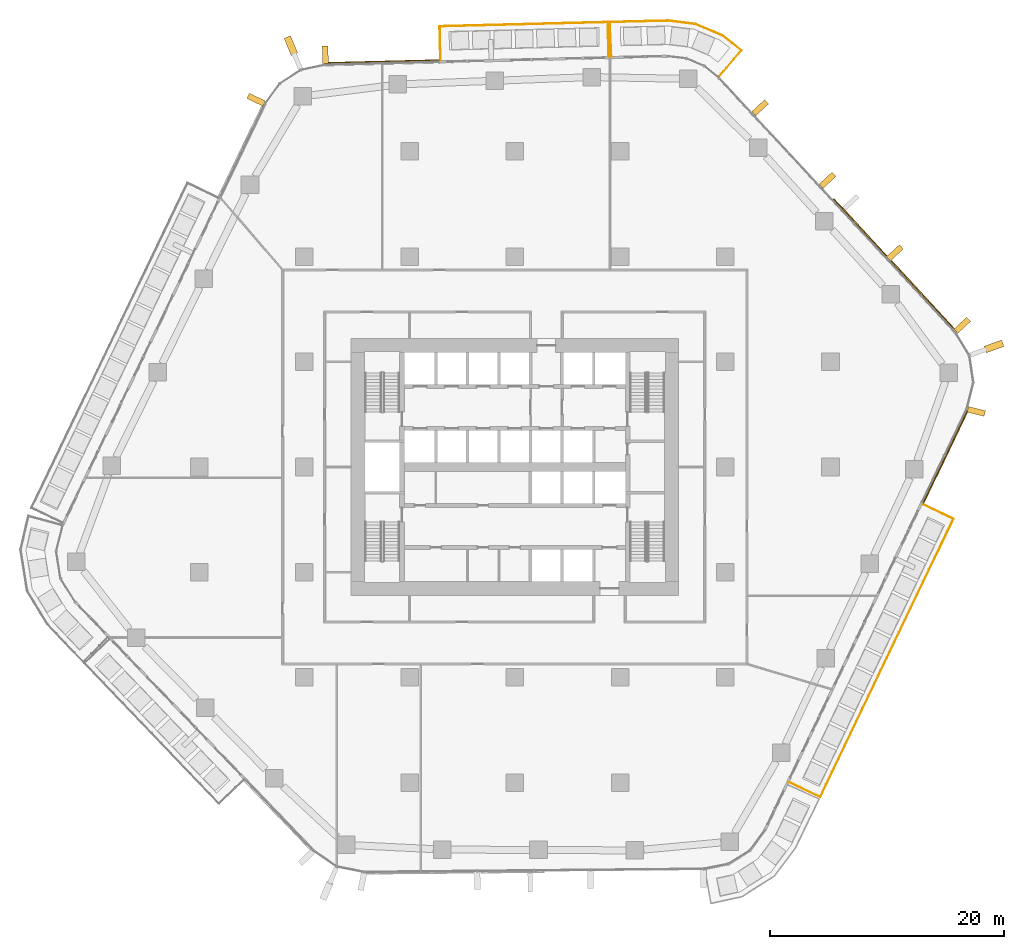
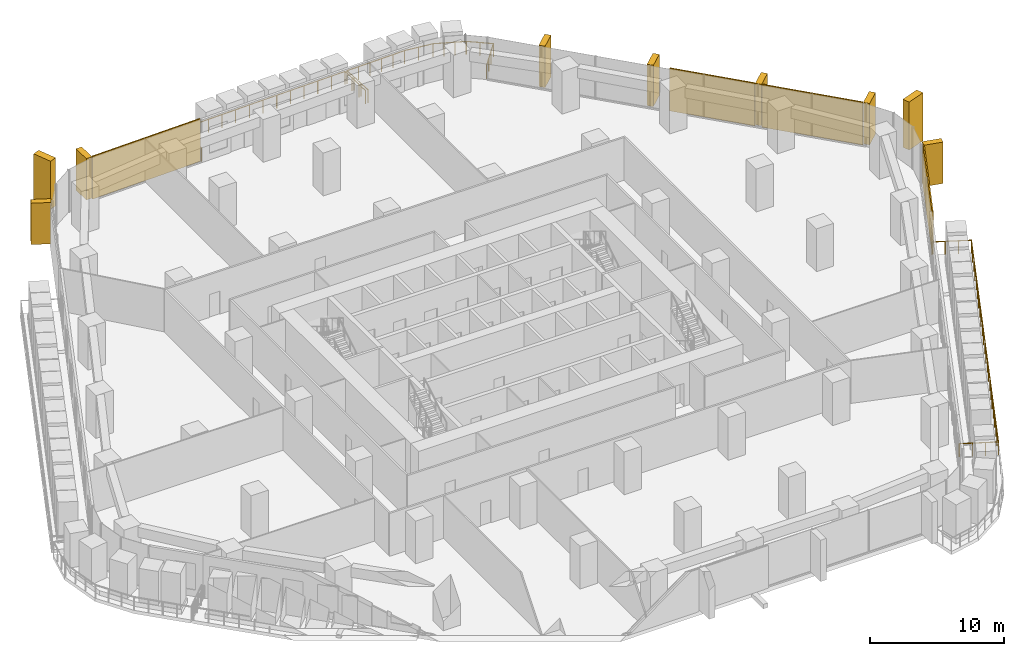
# One storey, part 23 of 23: 13 coverings, 3 railings, 6 elements without a shape of their own.
"""IFC4 building model written with IfcOpenShell, lengths in metres."""

import ifcopenshell
import ifcopenshell.guid

model = None  # the IFC model being written
_history = None  # IfcOwnerHistory: only IFC2X3 demands one
_inside = {}  # id of a spatial element -> (the spatial element, [elements in it])
_under = {}  # id of a project, library or spatial element -> (it, [spatial elements below it])
_declared = {}  # id of a project -> (the project, [libraries it declares])
_typed = {}  # id of a type object -> (the type object, [elements of that type])
_made_of = {}  # id of a material, layer set ... -> (it, [elements and type objects made of it])


def new_model(schema):
    """Start an empty IFC model of exactly this schema.

    Asked for "IFC4X3", IfcOpenShell would pick the latest addendum, in which some entities
    have other attributes; the version numbers below select the first issue.
    IFC2X3 requires an IfcOwnerHistory on every rooted entity: one is made here for all.
    """
    global model, _history
    if schema == "IFC4X3":
        model = ifcopenshell.file(schema_version=(4, 3, 0, 0))
    else:
        model = ifcopenshell.file(schema=schema)
    _inside.clear()
    _under.clear()
    _declared.clear()
    _typed.clear()
    _made_of.clear()
    _history = None
    if model.schema == "IFC2X3":
        org = make("IfcOrganization", Name="unknown")
        user = make(
            "IfcPersonAndOrganization",
            ThePerson=make("IfcPerson", FamilyName="unknown"),
            TheOrganization=org,
        )
        app = make(
            "IfcApplication",
            ApplicationDeveloper=org,
            Version="unknown",
            ApplicationFullName="unknown",
            ApplicationIdentifier="unknown",
        )
        _history = make(
            "IfcOwnerHistory",
            OwningUser=user,
            OwningApplication=app,
            ChangeAction="ADDED",
            CreationDate=0,
        )
    return model


def make(cls, **values):
    """One entity of the class cls with the attributes given. An attribute that is None is left unset."""
    return model.create_entity(
        cls, **{name: value for name, value in values.items() if value is not None}
    )


def rooted(cls, **values):
    """An entity with a GlobalId (a new one), such as an element, a storey or a relation."""
    return make(cls, GlobalId=ifcopenshell.guid.new(), OwnerHistory=_history, **values)


def si_unit(unit_type, name, prefix=None):
    """IfcSIUnit, for example si_unit("LENGTHUNIT", "METRE", prefix="MILLI")."""
    return make("IfcSIUnit", UnitType=unit_type, Prefix=prefix, Name=name)


def assignment(units):
    """IfcUnitAssignment: the units of a project."""
    return None if units is None else make("IfcUnitAssignment", Units=units)


def point(xyz):
    """IfcCartesianPoint."""
    return None if xyz is None else make("IfcCartesianPoint", Coordinates=xyz)


def direction(xyz):
    """IfcDirection."""
    return None if xyz is None else make("IfcDirection", DirectionRatios=xyz)


def frame(location, z_axis=None, x_axis=None):
    """IfcAxis2Placement3D, a coordinate frame: its origin and axes. An axis left out is left unset."""
    return make(
        "IfcAxis2Placement3D",
        Location=point(location),
        Axis=direction(z_axis),
        RefDirection=direction(x_axis),
    )


def frame_2d(location, x_axis=None):
    """IfcAxis2Placement2D, a coordinate frame in the plane: its origin and x axis."""
    return make(
        "IfcAxis2Placement2D", Location=point(location), RefDirection=direction(x_axis)
    )


def origin():
    """The frame at (0, 0, 0) with its axes left unset."""
    return frame((0.0, 0.0, 0.0))


def origin_2d():
    """The frame at (0, 0) in the plane with its x axis left unset."""
    return frame_2d((0.0, 0.0))


def place(relative_to, where):
    """IfcLocalPlacement: puts the frame where relative to a parent placement (None: the world)."""
    return make(
        "IfcLocalPlacement", PlacementRelTo=relative_to, RelativePlacement=where
    )


def context(
    kind, dimensions, precision=None, world=None, true_north=None, identifier=None
):
    """IfcGeometricRepresentationContext, for example the 3D "Model" context."""
    return make(
        "IfcGeometricRepresentationContext",
        ContextIdentifier=identifier,
        ContextType=kind,
        CoordinateSpaceDimension=dimensions,
        Precision=precision,
        WorldCoordinateSystem=world,
        TrueNorth=true_north,
    )


def subcontext(parent, identifier, kind, view, scale=None):
    """IfcGeometricRepresentationSubContext, for example "Body" below "Model"."""
    return make(
        "IfcGeometricRepresentationSubContext",
        ContextIdentifier=identifier,
        ContextType=kind,
        ParentContext=parent,
        TargetScale=scale,
        TargetView=view,
    )


def project(units=None, contexts=None):
    """IfcProject with its units and contexts."""
    return rooted(
        "IfcProject",
        Name="project",
        RepresentationContexts=contexts,
        UnitsInContext=assignment(units),
    )


def spatial(cls, under=None, at=None, **own):
    """A site, building, storey or space (cls), placed at a placement, below another one or the project."""
    s = rooted(cls, ObjectPlacement=at, **own)
    if under is not None:
        _under.setdefault(under.id(), (under, []))[1].append(s)
    return s


def profile(cls, at=None, kind="AREA", **sizes):
    """A parametric profile (cls). Its sizes go by their IFC names, for example OverallWidth=200.0."""
    return make(cls, ProfileType=kind, Position=at, **sizes)


def rectangle(**sizes):
    """IfcRectangleProfileDef."""
    return profile("IfcRectangleProfileDef", **sizes)


def circle(**sizes):
    """IfcCircleProfileDef."""
    return profile("IfcCircleProfileDef", **sizes)


def extrude(swept, where, along, depth):
    """IfcExtrudedAreaSolid: the profile swept, set in the frame where, extruded along a direction by depth."""
    return make(
        "IfcExtrudedAreaSolid",
        SweptArea=swept,
        Position=where,
        ExtrudedDirection=direction(along),
        Depth=depth,
    )


def shape(context_of_items, identifier, shape_type, items):
    """IfcShapeRepresentation: the items that make up one representation, for example the "Body"."""
    return make(
        "IfcShapeRepresentation",
        ContextOfItems=context_of_items,
        RepresentationIdentifier=identifier,
        RepresentationType=shape_type,
        Items=items,
    )


def material(Name=None, Category=None):
    """IfcMaterial."""
    return make("IfcMaterial", Name=Name, Category=Category)


def layer(
    of_material, thickness, ventilated=None, Name=None, Category=None, Priority=None
):
    """IfcMaterialLayer: one layer of a wall or slab, of a material (None: an air gap)."""
    return make(
        "IfcMaterialLayer",
        Material=of_material,
        LayerThickness=thickness,
        IsVentilated=ventilated,
        Name=Name,
        Category=Category,
        Priority=Priority,
    )


def layer_set(layers, Name=None):
    """IfcMaterialLayerSet."""
    return make("IfcMaterialLayerSet", MaterialLayers=layers, LayerSetName=Name)


def material_profile(
    of_material, cross_section, Name=None, Category=None, Priority=None
):
    """IfcMaterialProfile: a cross section and its material."""
    return make(
        "IfcMaterialProfile",
        Name=Name,
        Material=of_material,
        Profile=cross_section,
        Priority=Priority,
        Category=Category,
    )


def profile_set(profiles, Name=None, composite=None):
    """IfcMaterialProfileSet."""
    return make(
        "IfcMaterialProfileSet",
        Name=Name,
        MaterialProfiles=profiles,
        CompositeProfile=composite,
    )


def made_of(thing, what):
    """Note that an element or type object is made of a material, layer set ...; save() writes the relation."""
    if what is not None:
        _made_of.setdefault(what.id(), (what, []))[1].append(thing)
    return thing


def type_object(cls, material=None, **own):
    """A type object (cls), such as IfcWallType, which elements share."""
    return made_of(rooted(cls, **own), material)


def element(
    cls,
    number,
    at=None,
    inside=None,
    cuts=None,
    type_object=None,
    material=None,
    context=None,
    identifier="Body",
    shape_type=None,
    held_by="IfcProductDefinitionShape",
    body=None,
    shapes=None,
    **own,
):
    """One element of the class cls, such as IfcWall. Its Tag is "e" and its number.

    at: its placement. inside: the storey or other place that contains it. cuts: it is an
    opening in that element (IfcRelVoidsElement). A single representation is given by context,
    identifier, shape_type and body (its items); several are given by shapes. held_by: the class
    of the entity that holds the representations. save() writes the other relations.
    """
    e = rooted(cls, Tag="e%d" % number, ObjectPlacement=at, **own)
    if body is not None:
        shapes = [shape(context, identifier, shape_type, body)]
    if shapes is not None:
        e.Representation = make(held_by, Representations=shapes)
    if inside is not None:
        _inside.setdefault(inside.id(), (inside, []))[1].append(e)
    if cuts is not None:
        rooted(
            "IfcRelVoidsElement", RelatingBuildingElement=cuts, RelatedOpeningElement=e
        )
    if type_object is not None:
        _typed.setdefault(type_object.id(), (type_object, []))[1].append(e)
    return made_of(e, material)


def aggregate(whole, parts):
    """IfcRelAggregates: a whole, such as a stair, and the parts it consists of."""
    return rooted("IfcRelAggregates", RelatingObject=whole, RelatedObjects=parts)


def save(model, path):
    """Write the relations noted so far, then the file.

    IfcRelAggregates (storeys below a building ...), IfcRelContainedInSpatialStructure (elements
    in a storey), IfcRelDefinesByType, IfcRelAssociatesMaterial and IfcRelDeclares: one each for
    every whole, place, type object, material and project.
    """
    for whole, parts in _under.values():
        aggregate(whole, parts)
    for where, things in _inside.values():
        rooted(
            "IfcRelContainedInSpatialStructure",
            RelatedElements=things,
            RelatingStructure=where,
        )
    for kind, things in _typed.values():
        rooted("IfcRelDefinesByType", RelatedObjects=things, RelatingType=kind)
    for what, things in _made_of.values():
        rooted("IfcRelAssociatesMaterial", RelatedObjects=things, RelatingMaterial=what)
    for by, libraries in _declared.values():
        rooted("IfcRelDeclares", RelatingContext=by, RelatedDefinitions=libraries)
    model.write(path)


model = new_model("IFC4")

# Units and contexts
model_context = context("Model", 3, precision=1e-05, world=origin(), true_north=direction((0.0, 1.0)))
body_context = subcontext(model_context, "Body", "Model", "MODEL_VIEW")
ifc_project = project(units=[si_unit("LENGTHUNIT", "METRE"), si_unit("AREAUNIT", "SQUARE_METRE"), si_unit("VOLUMEUNIT", "CUBIC_METRE"), si_unit("PLANEANGLEUNIT", "RADIAN"), si_unit("MASSUNIT", "GRAM", prefix="KILO")], contexts=[model_context])

# Site, building, storey
site_placement = place(None, origin())
site = spatial("IfcSite", under=ifc_project, at=site_placement, CompositionType="ELEMENT")
building_placement = place(site_placement, origin())
building = spatial("IfcBuilding", under=site, at=building_placement, Name="Dongbaek Canopy Tower", CompositionType="ELEMENT")
storey_placement = place(building_placement, frame((0.0, 0.0, 84.699951171875)))
storey = spatial("IfcBuildingStorey", under=building, at=storey_placement, Name="L17", CompositionType="ELEMENT", Elevation=84.699951171875)

# Railings
ifc_material_1 = material(Name="Stainless steel", Category="steel")
railing_type = type_object("IfcRailingType", Name="Balcony balustrade 1200", PredefinedType="BALUSTRADE", material=ifc_material_1)
railing_1_placement = place(storey_placement, frame((8.032958984375, 35.1064453125, 0.0)))
element("IfcRailing", 1, at=railing_1_placement, inside=storey, type_object=railing_type, Name="Balcony guard L17 1", PredefinedType="BALUSTRADE", context=body_context, shape_type="SweptSolid", body=[
    extrude(circle(Radius=0.02392578125, at=origin_2d()), frame((0.0, 0.0, 1.17578125), z_axis=(-0.025079332958, 0.999685464063, 0.0), x_axis=(-0.999685464063, -0.025079332958, 0.0)), (0.0, 0.0, 1.0), 2.93994140625),
    extrude(circle(Radius=0.02392578125, at=origin_2d()), frame((-0.07373046875, 2.93896484375, 1.17578125), z_axis=(-0.999684607823, -0.025113440262, 0.0), x_axis=(0.025113440262, -0.999684607823, 0.0)), (0.0, 0.0, 1.0), 14.387939453125),
    extrude(circle(Radius=0.02392578125, at=origin_2d()), frame((-14.45703125, 2.57763671875, 1.17578125), z_axis=(0.025077251094, -0.999685516289, 0.0), x_axis=(0.999685516289, 0.025077251094, 0.0)), (0.0, 0.0, 1.0), 2.940185546875),
    extrude(circle(Radius=0.02099609375, at=origin_2d()), origin(), (0.0, 0.0, 1.0), 1.15185546875),
    extrude(circle(Radius=0.02099609375, at=origin_2d()), frame((-0.024658203125, 0.979736328125, 0.0)), (0.0, 0.0, 1.0), 1.15185546875),
    extrude(circle(Radius=0.02099609375, at=origin_2d()), frame((-0.049072265625, 1.959228515625, 0.0)), (0.0, 0.0, 1.0), 1.15185546875),
    extrude(circle(Radius=0.02099609375, at=origin_2d()), frame((-0.07373046875, 2.93896484375, 0.0)), (0.0, 0.0, 1.0), 1.15185546875),
    extrude(circle(Radius=0.02099609375, at=origin_2d()), frame((-1.2724609375, 2.908935546875, 0.0)), (0.0, 0.0, 1.0), 1.15185546875),
    extrude(circle(Radius=0.02099609375, at=origin_2d()), frame((-2.470947265625, 2.878662109375, 0.0)), (0.0, 0.0, 1.0), 1.15185546875),
    extrude(circle(Radius=0.02099609375, at=origin_2d()), frame((-3.66943359375, 2.8486328125, 0.0)), (0.0, 0.0, 1.0), 1.15185546875),
    extrude(circle(Radius=0.02099609375, at=origin_2d()), frame((-4.8681640625, 2.818603515625, 0.0)), (0.0, 0.0, 1.0), 1.15185546875),
    extrude(circle(Radius=0.02099609375, at=origin_2d()), frame((-6.06689453125, 2.788330078125, 0.0)), (0.0, 0.0, 1.0), 1.15185546875),
    extrude(circle(Radius=0.02099609375, at=origin_2d()), frame((-7.265380859375, 2.75830078125, 0.0)), (0.0, 0.0, 1.0), 1.15185546875),
    extrude(circle(Radius=0.02099609375, at=origin_2d()), frame((-8.4638671875, 2.728271484375, 0.0)), (0.0, 0.0, 1.0), 1.15185546875),
    extrude(circle(Radius=0.02099609375, at=origin_2d()), frame((-9.66259765625, 2.697998046875, 0.0)), (0.0, 0.0, 1.0), 1.15185546875),
    extrude(circle(Radius=0.02099609375, at=origin_2d()), frame((-10.861328125, 2.66796875, 0.0)), (0.0, 0.0, 1.0), 1.15185546875),
    extrude(circle(Radius=0.02099609375, at=origin_2d()), frame((-12.059814453125, 2.637939453125, 0.0)), (0.0, 0.0, 1.0), 1.15185546875),
    extrude(circle(Radius=0.02099609375, at=origin_2d()), frame((-13.25830078125, 2.607666015625, 0.0)), (0.0, 0.0, 1.0), 1.15185546875),
    extrude(circle(Radius=0.02099609375, at=origin_2d()), frame((-14.45703125, 2.57763671875, 0.0)), (0.0, 0.0, 1.0), 1.15185546875),
    extrude(circle(Radius=0.02099609375, at=origin_2d()), frame((-14.432373046875, 1.597900390625, 0.0)), (0.0, 0.0, 1.0), 1.15185546875),
    extrude(circle(Radius=0.02099609375, at=origin_2d()), frame((-14.407958984375, 0.6181640625, 0.0)), (0.0, 0.0, 1.0), 1.15185546875),
    extrude(circle(Radius=0.02099609375, at=origin_2d()), frame((-14.38330078125, -0.361572265625, 0.0)), (0.0, 0.0, 1.0), 1.15185546875),
])
railing_2_placement = place(storey_placement, frame((17.47265625, 33.385498046875, 0.0)))
element("IfcRailing", 2, at=railing_2_placement, inside=storey, type_object=railing_type, Name="Balcony guard L17 5", PredefinedType="BALUSTRADE", context=body_context, shape_type="SweptSolid", body=[
    extrude(circle(Radius=0.02392578125, at=origin_2d()), frame((0.0, 0.0, 1.17578125), z_axis=(0.645339119999, 0.763896210358, 0.0), x_axis=(-0.763896210358, 0.645339119999, 0.0)), (0.0, 0.0, 1.0), 2.940673828125),
    extrude(circle(Radius=0.02392578125, at=origin_2d()), frame((1.897705078125, 2.246337890625, 1.17578125), z_axis=(-0.785785826595, 0.618498694197, 0.0), x_axis=(-0.618498694197, -0.785785826595, 0.0)), (0.0, 0.0, 1.0), 2.053466796875),
    extrude(circle(Radius=0.02392578125, at=origin_2d()), frame((0.2841796875, 3.516357421875, 1.17578125), z_axis=(-0.921595205095, 0.388152390106, 0.0), x_axis=(-0.388152390106, -0.921595205095, 0.0)), (0.0, 0.0, 1.0), 2.51708984375),
    extrude(circle(Radius=0.02392578125, at=origin_2d()), frame((-2.03564453125, 4.493408203125, 1.17578125), z_axis=(-0.992117760356, 0.125309016377, 0.0), x_axis=(-0.125309016377, -0.992117760356, 0.0)), (0.0, 0.0, 1.0), 2.310791015625),
    extrude(circle(Radius=0.02392578125, at=origin_2d()), frame((-4.328125, 4.782958984375, 1.17578125), z_axis=(-0.99971909008, -0.023701074425, 0.0), x_axis=(0.023701074425, -0.99971909008, 0.0)), (0.0, 0.0, 1.0), 5.02685546875),
    extrude(circle(Radius=0.02392578125, at=origin_2d()), frame((-9.353515625, 4.663818359375, 1.17578125), z_axis=(0.045498047402, -0.998964427636, 0.0), x_axis=(0.998964427636, 0.045498047402, 0.0)), (0.0, 0.0, 1.0), 2.9404296875),
    extrude(circle(Radius=0.02099609375, at=origin_2d()), origin(), (0.0, 0.0, 1.0), 1.15185546875),
    extrude(circle(Radius=0.02099609375, at=origin_2d()), frame((0.632568359375, 0.748779296875, 0.0)), (0.0, 0.0, 1.0), 1.15185546875),
    extrude(circle(Radius=0.02099609375, at=origin_2d()), frame((1.26513671875, 1.49755859375, 0.0)), (0.0, 0.0, 1.0), 1.15185546875),
    extrude(circle(Radius=0.02099609375, at=origin_2d()), frame((1.897705078125, 2.246337890625, 0.0)), (0.0, 0.0, 1.0), 1.15185546875),
    extrude(circle(Radius=0.02099609375, at=origin_2d()), frame((1.0908203125, 2.88134765625, 0.0)), (0.0, 0.0, 1.0), 1.15185546875),
    extrude(circle(Radius=0.02099609375, at=origin_2d()), frame((0.2841796875, 3.516357421875, 0.0)), (0.0, 0.0, 1.0), 1.15185546875),
    extrude(circle(Radius=0.02099609375, at=origin_2d()), frame((-0.489013671875, 3.842041015625, 0.0)), (0.0, 0.0, 1.0), 1.15185546875),
    extrude(circle(Radius=0.02099609375, at=origin_2d()), frame((-1.262451171875, 4.167724609375, 0.0)), (0.0, 0.0, 1.0), 1.15185546875),
    extrude(circle(Radius=0.02099609375, at=origin_2d()), frame((-2.03564453125, 4.493408203125, 0.0)), (0.0, 0.0, 1.0), 1.15185546875),
    extrude(circle(Radius=0.02099609375, at=origin_2d()), frame((-3.181884765625, 4.63818359375, 0.0)), (0.0, 0.0, 1.0), 1.15185546875),
    extrude(circle(Radius=0.02099609375, at=origin_2d()), frame((-4.328125, 4.782958984375, 0.0)), (0.0, 0.0, 1.0), 1.15185546875),
    extrude(circle(Radius=0.02099609375, at=origin_2d()), frame((-5.333251953125, 4.759033203125, 0.0)), (0.0, 0.0, 1.0), 1.15185546875),
    extrude(circle(Radius=0.02099609375, at=origin_2d()), frame((-6.33837890625, 4.7353515625, 0.0)), (0.0, 0.0, 1.0), 1.15185546875),
    extrude(circle(Radius=0.02099609375, at=origin_2d()), frame((-7.34326171875, 4.71142578125, 0.0)), (0.0, 0.0, 1.0), 1.15185546875),
    extrude(circle(Radius=0.02099609375, at=origin_2d()), frame((-8.348388671875, 4.687744140625, 0.0)), (0.0, 0.0, 1.0), 1.15185546875),
    extrude(circle(Radius=0.02099609375, at=origin_2d()), frame((-9.353515625, 4.663818359375, 0.0)), (0.0, 0.0, 1.0), 1.15185546875),
    extrude(circle(Radius=0.02099609375, at=origin_2d()), frame((-9.308837890625, 3.6845703125, 0.0)), (0.0, 0.0, 1.0), 1.15185546875),
    extrude(circle(Radius=0.02099609375, at=origin_2d()), frame((-9.264404296875, 2.70556640625, 0.0)), (0.0, 0.0, 1.0), 1.15185546875),
    extrude(circle(Radius=0.02099609375, at=origin_2d()), frame((-9.2197265625, 1.726318359375, 0.0)), (0.0, 0.0, 1.0), 1.15185546875),
])
railing_3_placement = place(storey_placement, frame((23.45947265625, -26.962646484375, 0.0)))
element("IfcRailing", 3, at=railing_3_placement, inside=storey, type_object=railing_type, Name="Balcony guard L17 4", PredefinedType="BALUSTRADE", context=body_context, shape_type="SweptSolid", body=[
    extrude(circle(Radius=0.02392578125, at=origin_2d()), frame((0.0, 0.0, 1.17578125), z_axis=(0.9018079386, -0.432137063764, 0.0), x_axis=(0.432137063764, 0.9018079386, 0.0)), (0.0, 0.0, 1.0), 2.93994140625),
    extrude(circle(Radius=0.02392578125, at=origin_2d()), frame((2.6513671875, -1.2705078125, 1.17578125), z_axis=(0.432088665565, 0.90183112892, 0.0), x_axis=(-0.90183112892, 0.432088665565, 0.0)), (0.0, 0.0, 1.0), 26.382568359375),
    extrude(circle(Radius=0.02392578125, at=origin_2d()), frame((14.051025390625, 22.522216796875, 1.17578125), z_axis=(-0.901840298073, 0.432069527705, 0.0), x_axis=(-0.432069527705, -0.901840298073, 0.0)), (0.0, 0.0, 1.0), 2.93994140625),
    extrude(circle(Radius=0.02099609375, at=origin_2d()), origin(), (0.0, 0.0, 1.0), 1.15185546875),
    extrude(circle(Radius=0.02099609375, at=origin_2d()), frame((0.8837890625, -0.423583984375, 0.0)), (0.0, 0.0, 1.0), 1.15185546875),
    extrude(circle(Radius=0.02099609375, at=origin_2d()), frame((1.767578125, -0.846923828125, 0.0)), (0.0, 0.0, 1.0), 1.15185546875),
    extrude(circle(Radius=0.02099609375, at=origin_2d()), frame((2.6513671875, -1.2705078125, 0.0)), (0.0, 0.0, 1.0), 1.15185546875),
    extrude(circle(Radius=0.02099609375, at=origin_2d()), frame((3.16943359375, -0.18896484375, 0.0)), (0.0, 0.0, 1.0), 1.15185546875),
    extrude(circle(Radius=0.02099609375, at=origin_2d()), frame((3.687744140625, 0.892578125, 0.0)), (0.0, 0.0, 1.0), 1.15185546875),
    extrude(circle(Radius=0.02099609375, at=origin_2d()), frame((4.205810546875, 1.973876953125, 0.0)), (0.0, 0.0, 1.0), 1.15185546875),
    extrude(circle(Radius=0.02099609375, at=origin_2d()), frame((4.72412109375, 3.055419921875, 0.0)), (0.0, 0.0, 1.0), 1.15185546875),
    extrude(circle(Radius=0.02099609375, at=origin_2d()), frame((5.2421875, 4.136962890625, 0.0)), (0.0, 0.0, 1.0), 1.15185546875),
    extrude(circle(Radius=0.02099609375, at=origin_2d()), frame((5.76025390625, 5.218505859375, 0.0)), (0.0, 0.0, 1.0), 1.15185546875),
    extrude(circle(Radius=0.02099609375, at=origin_2d()), frame((6.278564453125, 6.2998046875, 0.0)), (0.0, 0.0, 1.0), 1.15185546875),
    extrude(circle(Radius=0.02099609375, at=origin_2d()), frame((6.796630859375, 7.38134765625, 0.0)), (0.0, 0.0, 1.0), 1.15185546875),
    extrude(circle(Radius=0.02099609375, at=origin_2d()), frame((7.31494140625, 8.462890625, 0.0)), (0.0, 0.0, 1.0), 1.15185546875),
    extrude(circle(Radius=0.02099609375, at=origin_2d()), frame((7.8330078125, 9.54443359375, 0.0)), (0.0, 0.0, 1.0), 1.15185546875),
    extrude(circle(Radius=0.02099609375, at=origin_2d()), frame((8.35107421875, 10.6259765625, 0.0)), (0.0, 0.0, 1.0), 1.15185546875),
    extrude(circle(Radius=0.02099609375, at=origin_2d()), frame((8.869384765625, 11.707275390625, 0.0)), (0.0, 0.0, 1.0), 1.15185546875),
    extrude(circle(Radius=0.02099609375, at=origin_2d()), frame((9.387451171875, 12.788818359375, 0.0)), (0.0, 0.0, 1.0), 1.15185546875),
    extrude(circle(Radius=0.02099609375, at=origin_2d()), frame((9.90576171875, 13.870361328125, 0.0)), (0.0, 0.0, 1.0), 1.15185546875),
    extrude(circle(Radius=0.02099609375, at=origin_2d()), frame((10.423828125, 14.951904296875, 0.0)), (0.0, 0.0, 1.0), 1.15185546875),
    extrude(circle(Radius=0.02099609375, at=origin_2d()), frame((10.942138671875, 16.033203125, 0.0)), (0.0, 0.0, 1.0), 1.15185546875),
    extrude(circle(Radius=0.02099609375, at=origin_2d()), frame((11.460205078125, 17.11474609375, 0.0)), (0.0, 0.0, 1.0), 1.15185546875),
    extrude(circle(Radius=0.02099609375, at=origin_2d()), frame((11.978271484375, 18.1962890625, 0.0)), (0.0, 0.0, 1.0), 1.15185546875),
    extrude(circle(Radius=0.02099609375, at=origin_2d()), frame((12.49658203125, 19.27783203125, 0.0)), (0.0, 0.0, 1.0), 1.15185546875),
    extrude(circle(Radius=0.02099609375, at=origin_2d()), frame((13.0146484375, 20.359130859375, 0.0)), (0.0, 0.0, 1.0), 1.15185546875),
    extrude(circle(Radius=0.02099609375, at=origin_2d()), frame((13.532958984375, 21.440673828125, 0.0)), (0.0, 0.0, 1.0), 1.15185546875),
    extrude(circle(Radius=0.02099609375, at=origin_2d()), frame((14.051025390625, 22.522216796875, 0.0)), (0.0, 0.0, 1.0), 1.15185546875),
    extrude(circle(Radius=0.02099609375, at=origin_2d()), frame((13.167236328125, 22.945556640625, 0.0)), (0.0, 0.0, 1.0), 1.15185546875),
    extrude(circle(Radius=0.02099609375, at=origin_2d()), frame((12.283447265625, 23.369140625, 0.0)), (0.0, 0.0, 1.0), 1.15185546875),
    extrude(circle(Radius=0.02099609375, at=origin_2d()), frame((11.399658203125, 23.79248046875, 0.0)), (0.0, 0.0, 1.0), 1.15185546875),
])

# Curtain wall, covering
ifc_material_2 = material(Name="Aluminium 6063-T6 pale anodised", Category="aluminium")
ifc_layer_1 = layer(ifc_material_2, 0.199951171875)
ifc_layer_set_1 = layer_set([ifc_layer_1], Name="CW-1 unitised tower curtain wall")
curtain_wall_type = type_object("IfcCurtainWallType", Name="CW-1 unitised tower curtain wall", PredefinedType="NOTDEFINED", material=ifc_layer_set_1)
curtain_wall_1_placement = place(storey_placement, origin())
curtain_wall_1 = element("IfcCurtainWall", 4, at=curtain_wall_1_placement, inside=storey, type_object=curtain_wall_type, Name="CW-1 curtain wall K0.1", PredefinedType="NOTDEFINED")
ifc_material_3 = material(Name="Aluminium 6063-T6 pale metal fin", Category="aluminium")
ifc_material_profile_1 = material_profile(ifc_material_3, rectangle(XDim=1.60009765625, YDim=0.60009765625, at=origin_2d()), Name="Corner fin CN1 600 x 1600 pale metal")
ifc_profile_set_1 = profile_set([ifc_material_profile_1], Name="Aluminium 6063-T6 pale metal fin")
covering_type_1 = type_object("IfcCoveringType", Name="Corner fin CN1 600 x 1600 pale metal", PredefinedType="CLADDING", material=ifc_profile_set_1)
covering_1_placement = place(storey_placement, frame((40.983154296875, 10.3134765625, -0.199951171875), z_axis=(0.0, 0.0, 1.0), x_axis=(0.939365667642, 0.342917107265, 0.0)))
covering_1 = element("IfcCovering", 5, at=covering_1_placement, type_object=covering_type_1, Name="Corner fin L17 L17 K0", PredefinedType="CLADDING", context=body_context, shape_type="SweptSolid", body=[
    extrude(rectangle(XDim=1.60009765625, YDim=0.60009765625, at=origin_2d()), origin(), (0.0, 0.0, 1.0), 4.3798828125),
])

curtain_wall_2_placement = place(storey_placement, origin())
curtain_wall_2 = element("IfcCurtainWall", 6, at=curtain_wall_2_placement, inside=storey, type_object=curtain_wall_type, Name="CW-1 curtain wall K2.1", PredefinedType="NOTDEFINED")
covering_2_placement = place(storey_placement, frame((-19.1513671875, 36.0341796875, -0.199951171875), z_axis=(0.0, 0.0, 1.0), x_axis=(-0.381155897493, 0.924510779713, 0.0)))
covering_2 = element("IfcCovering", 7, at=covering_2_placement, type_object=covering_type_1, Name="Corner fin L17 L17 K2", PredefinedType="CLADDING", context=body_context, shape_type="SweptSolid", body=[
    extrude(rectangle(XDim=1.60009765625, YDim=0.60009765625, at=origin_2d()), origin(), (0.0, 0.0, 1.0), 4.3798828125),
])
aggregate(curtain_wall_2, [covering_2])

curtain_wall_3_placement = place(storey_placement, origin())
curtain_wall_3 = element("IfcCurtainWall", 8, at=curtain_wall_3_placement, inside=storey, type_object=curtain_wall_type, Name="CW-1 curtain wall F5.1", PredefinedType="NOTDEFINED")
ifc_material_4 = material(Name="Perforated aluminium 6063-T6 pale metal screen", Category="aluminium")
ifc_layer_2 = layer(ifc_material_4, 0.10009765625)
ifc_layer_set_2 = layer_set([ifc_layer_2], Name="Facet screen FS1 100 pale metal")
covering_type_2 = type_object("IfcCoveringType", Name="Facet screen FS1 100 pale metal", PredefinedType="CLADDING", material=ifc_layer_set_2)
covering_3_placement = place(storey_placement, frame((36.835693359375, 0.848388671875, 0.0), z_axis=(0.0, 0.0, 1.0), x_axis=(0.432095192746, 0.901828001564, 0.0)))
covering_3 = element("IfcCovering", 9, at=covering_3_placement, type_object=covering_type_2, Name="Facet screen L17 F5", PredefinedType="CLADDING", context=body_context, shape_type="SweptSolid", body=[
    extrude(rectangle(XDim=8.73583984375, YDim=0.10009765625, at=origin_2d()), origin(), (0.0, 0.0, 1.0), 3.89990234375),
])
aggregate(curtain_wall_3, [covering_3])

# Curtain wall, coverings
curtain_wall_4_placement = place(storey_placement, origin())
curtain_wall_4 = element("IfcCurtainWall", 10, at=curtain_wall_4_placement, inside=storey, type_object=curtain_wall_type, Name="CW-1 curtain wall F0.1", PredefinedType="NOTDEFINED")
covering_4_placement = place(storey_placement, frame((34.873291015625, 14.73876953125, 0.0), z_axis=(0.0, 0.0, 1.0), x_axis=(-0.680494536927, 0.732753154351, 0.0)))
covering_4 = element("IfcCovering", 11, at=covering_4_placement, type_object=covering_type_2, Name="Facet screen L17 F0", PredefinedType="CLADDING", context=body_context, shape_type="SweptSolid", body=[
    extrude(rectangle(XDim=7.876953125, YDim=0.10009765625, at=origin_2d()), origin(), (0.0, 0.0, 1.0), 3.89990234375),
])
covering_5_placement = place(storey_placement, frame((29.5361328125, 20.48583984375, 0.0), z_axis=(0.0, 0.0, 1.0), x_axis=(-0.680494536927, 0.732753154351, 0.0)))
covering_5 = element("IfcCovering", 12, at=covering_5_placement, type_object=covering_type_2, Name="Facet screen L17 F0", PredefinedType="CLADDING", context=body_context, shape_type="SweptSolid", body=[
    extrude(rectangle(XDim=6.6494140625, YDim=0.10009765625, at=origin_2d()), origin(), (0.0, 0.0, 1.0), 3.89990234375),
])

# Curtain wall, covering
curtain_wall_5_placement = place(storey_placement, origin())
curtain_wall_5 = element("IfcCurtainWall", 13, at=curtain_wall_5_placement, inside=storey, type_object=curtain_wall_type, Name="CW-1 curtain wall F1.1", PredefinedType="NOTDEFINED")
covering_6_placement = place(storey_placement, frame((-11.179443359375, 34.669677734375, 0.0), z_axis=(0.0, 0.0, 1.0), x_axis=(-0.99968445239, -0.025119626774, 0.0)))
covering_6 = element("IfcCovering", 14, at=covering_6_placement, type_object=covering_type_2, Name="Facet screen L17 F1", PredefinedType="CLADDING", context=body_context, shape_type="SweptSolid", body=[
    extrude(rectangle(XDim=9.439453125, YDim=0.10009765625, at=origin_2d()), origin(), (0.0, 0.0, 1.0), 3.89990234375),
])

# Covering
ifc_material_5 = material(Name="Aluminium 6063-T6 pale metal fin", Category="aluminium")
ifc_material_profile_2 = material_profile(ifc_material_5, rectangle(XDim=1.5, YDim=0.5, at=origin_2d()), Name="Fin FN1 500 x 1500 pale metal")
ifc_profile_set_2 = profile_set([ifc_material_profile_2], Name="Aluminium 6063-T6 pale metal fin")
covering_type_3 = type_object("IfcCoveringType", Name="Fin FN1 500 x 1500 pale metal", PredefinedType="CLADDING", material=ifc_profile_set_2)
covering_7_placement = place(storey_placement, frame((39.468017578125, 4.751953125, 0.1201171875), z_axis=(0.0, 0.0, 1.0), x_axis=(0.969501765799, -0.245084324494, 0.0)))
covering_7 = element("IfcCovering", 15, at=covering_7_placement, type_object=covering_type_3, Name="Fin K0.1.1", PredefinedType="CLADDING", context=body_context, shape_type="SweptSolid", body=[
    extrude(rectangle(XDim=1.5, YDim=0.5, at=origin_2d()), origin(), (0.0, 0.0, 1.0), 3.780029296875),
])

aggregate(curtain_wall_1, [covering_7, covering_1])

covering_8_placement = place(storey_placement, frame((38.2666015625, 12.119384765625, 0.1201171875), z_axis=(0.0, 0.0, 1.0), x_axis=(0.732752863819, 0.680494849771, 0.0)))
covering_8 = element("IfcCovering", 16, at=covering_8_placement, type_object=covering_type_3, Name="Fin F0.1.1", PredefinedType="CLADDING", context=body_context, shape_type="SweptSolid", body=[
    extrude(rectangle(XDim=1.5, YDim=0.5, at=origin_2d()), origin(), (0.0, 0.0, 1.0), 3.780029296875),
])

covering_9_placement = place(storey_placement, frame((32.51171875, 18.316162109375, 0.1201171875), z_axis=(0.0, 0.0, 1.0), x_axis=(0.732752863819, 0.680494849771, 0.0)))
covering_9 = element("IfcCovering", 17, at=covering_9_placement, type_object=covering_type_3, Name="Fin F0.1.3", PredefinedType="CLADDING", context=body_context, shape_type="SweptSolid", body=[
    extrude(rectangle(XDim=1.5, YDim=0.5, at=origin_2d()), origin(), (0.0, 0.0, 1.0), 3.780029296875),
])

covering_10_placement = place(storey_placement, frame((26.75, 24.5205078125, 0.1201171875), z_axis=(0.0, 0.0, 1.0), x_axis=(0.732752863819, 0.680494849771, 0.0)))
covering_10 = element("IfcCovering", 18, at=covering_10_placement, type_object=covering_type_3, Name="Fin F0.1.5", PredefinedType="CLADDING", context=body_context, shape_type="SweptSolid", body=[
    extrude(rectangle(XDim=1.5, YDim=0.5, at=origin_2d()), origin(), (0.0, 0.0, 1.0), 3.780029296875),
])

covering_11_placement = place(storey_placement, frame((20.988525390625, 30.724609375, 0.1201171875), z_axis=(0.0, 0.0, 1.0), x_axis=(0.732752863819, 0.680494849771, 0.0)))
covering_11 = element("IfcCovering", 19, at=covering_11_placement, type_object=covering_type_3, Name="Fin F0.1.7", PredefinedType="CLADDING", context=body_context, shape_type="SweptSolid", body=[
    extrude(rectangle(XDim=1.5, YDim=0.5, at=origin_2d()), origin(), (0.0, 0.0, 1.0), 3.780029296875),
])

aggregate(curtain_wall_4, [covering_8, covering_9, covering_10, covering_11, covering_4, covering_5])

covering_12_placement = place(storey_placement, frame((-16.205322265625, 35.24755859375, 0.1201171875), z_axis=(0.0, 0.0, 1.0), x_axis=(-0.02511909418, 0.999684465773, 0.0)))
covering_12 = element("IfcCovering", 20, at=covering_12_placement, type_object=covering_type_3, Name="Fin F1.1.3", PredefinedType="CLADDING", context=body_context, shape_type="SweptSolid", body=[
    extrude(rectangle(XDim=1.5, YDim=0.5, at=origin_2d()), origin(), (0.0, 0.0, 1.0), 3.780029296875),
])

aggregate(curtain_wall_5, [covering_12, covering_6])

# Curtain wall, covering
curtain_wall_6_placement = place(storey_placement, origin())
curtain_wall_6 = element("IfcCurtainWall", 21, at=curtain_wall_6_placement, inside=storey, type_object=curtain_wall_type, Name="CW-1 curtain wall F2.1", PredefinedType="NOTDEFINED")
covering_13_placement = place(storey_placement, frame((-22.133056640625, 31.41455078125, 0.1201171875), z_axis=(0.0, 0.0, 1.0), x_axis=(-0.901357104443, 0.433076633254, 0.0)))
covering_13 = element("IfcCovering", 22, at=covering_13_placement, type_object=covering_type_3, Name="Fin F2.1.1", PredefinedType="CLADDING", context=body_context, shape_type="SweptSolid", body=[
    extrude(rectangle(XDim=1.5, YDim=0.5, at=origin_2d()), origin(), (0.0, 0.0, 1.0), 3.780029296875),
])
aggregate(curtain_wall_6, [covering_13])

save(model, "model.ifc")
